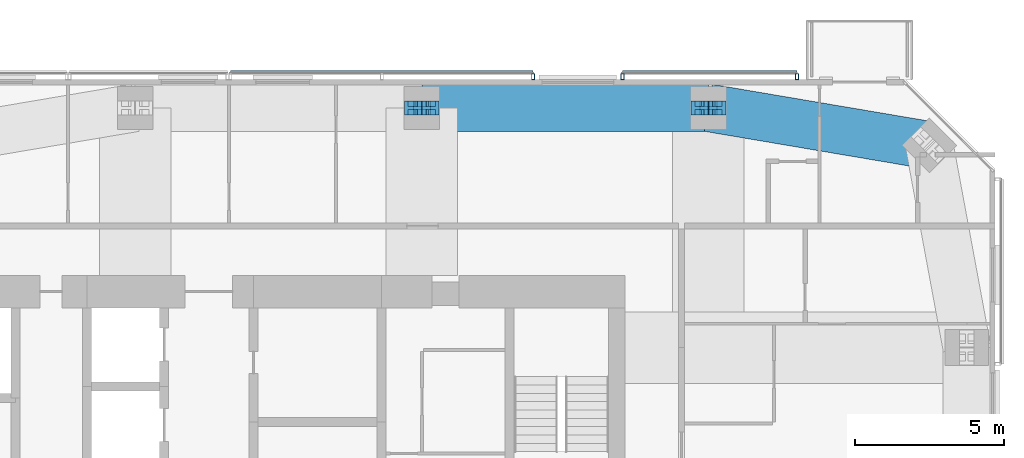
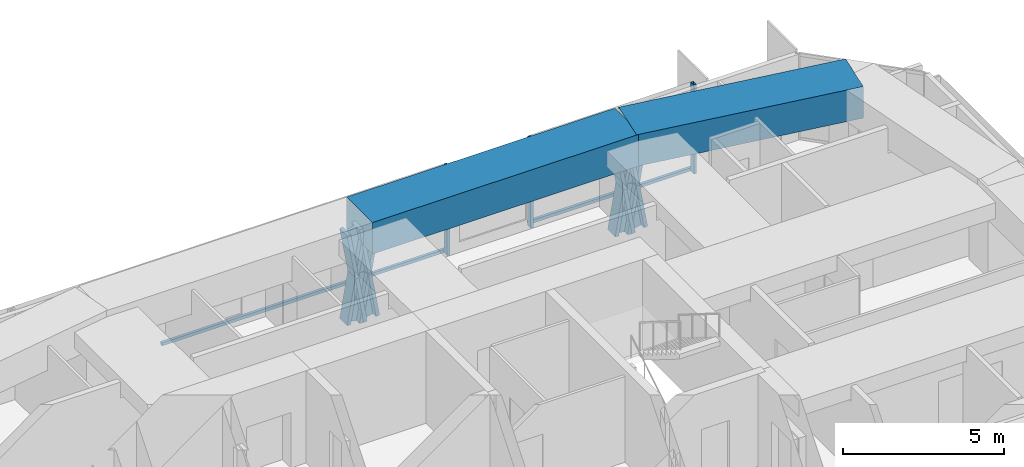
# One storey, part 11 of 20: 13 members, 2 beams, 2 elements without a shape of their own.
"""IFC4 building model written with IfcOpenShell, lengths in metres."""

import ifcopenshell
import ifcopenshell.guid

model = None  # the IFC model being written
_history = None  # IfcOwnerHistory: only IFC2X3 demands one
_inside = {}  # id of a spatial element -> (the spatial element, [elements in it])
_under = {}  # id of a project, library or spatial element -> (it, [spatial elements below it])
_declared = {}  # id of a project -> (the project, [libraries it declares])
_typed = {}  # id of a type object -> (the type object, [elements of that type])
_made_of = {}  # id of a material, layer set ... -> (it, [elements and type objects made of it])


def new_model(schema):
    """Start an empty IFC model of exactly this schema.

    Asked for "IFC4X3", IfcOpenShell would pick the latest addendum, in which some entities
    have other attributes; the version numbers below select the first issue.
    IFC2X3 requires an IfcOwnerHistory on every rooted entity: one is made here for all.
    """
    global model, _history
    if schema == "IFC4X3":
        model = ifcopenshell.file(schema_version=(4, 3, 0, 0))
    else:
        model = ifcopenshell.file(schema=schema)
    _inside.clear()
    _under.clear()
    _declared.clear()
    _typed.clear()
    _made_of.clear()
    _history = None
    if model.schema == "IFC2X3":
        org = make("IfcOrganization", Name="unknown")
        user = make(
            "IfcPersonAndOrganization",
            ThePerson=make("IfcPerson", FamilyName="unknown"),
            TheOrganization=org,
        )
        app = make(
            "IfcApplication",
            ApplicationDeveloper=org,
            Version="unknown",
            ApplicationFullName="unknown",
            ApplicationIdentifier="unknown",
        )
        _history = make(
            "IfcOwnerHistory",
            OwningUser=user,
            OwningApplication=app,
            ChangeAction="ADDED",
            CreationDate=0,
        )
    return model


def make(cls, **values):
    """One entity of the class cls with the attributes given. An attribute that is None is left unset."""
    return model.create_entity(
        cls, **{name: value for name, value in values.items() if value is not None}
    )


def rooted(cls, **values):
    """An entity with a GlobalId (a new one), such as an element, a storey or a relation."""
    return make(cls, GlobalId=ifcopenshell.guid.new(), OwnerHistory=_history, **values)


def si_unit(unit_type, name, prefix=None):
    """IfcSIUnit, for example si_unit("LENGTHUNIT", "METRE", prefix="MILLI")."""
    return make("IfcSIUnit", UnitType=unit_type, Prefix=prefix, Name=name)


def assignment(units):
    """IfcUnitAssignment: the units of a project."""
    return None if units is None else make("IfcUnitAssignment", Units=units)


def point(xyz):
    """IfcCartesianPoint."""
    return None if xyz is None else make("IfcCartesianPoint", Coordinates=xyz)


def direction(xyz):
    """IfcDirection."""
    return None if xyz is None else make("IfcDirection", DirectionRatios=xyz)


def frame(location, z_axis=None, x_axis=None):
    """IfcAxis2Placement3D, a coordinate frame: its origin and axes. An axis left out is left unset."""
    return make(
        "IfcAxis2Placement3D",
        Location=point(location),
        Axis=direction(z_axis),
        RefDirection=direction(x_axis),
    )


def frame_2d(location, x_axis=None):
    """IfcAxis2Placement2D, a coordinate frame in the plane: its origin and x axis."""
    return make(
        "IfcAxis2Placement2D", Location=point(location), RefDirection=direction(x_axis)
    )


def origin():
    """The frame at (0, 0, 0) with its axes left unset."""
    return frame((0.0, 0.0, 0.0))


def origin_2d():
    """The frame at (0, 0) in the plane with its x axis left unset."""
    return frame_2d((0.0, 0.0))


def place(relative_to, where):
    """IfcLocalPlacement: puts the frame where relative to a parent placement (None: the world)."""
    return make(
        "IfcLocalPlacement", PlacementRelTo=relative_to, RelativePlacement=where
    )


def context(
    kind, dimensions, precision=None, world=None, true_north=None, identifier=None
):
    """IfcGeometricRepresentationContext, for example the 3D "Model" context."""
    return make(
        "IfcGeometricRepresentationContext",
        ContextIdentifier=identifier,
        ContextType=kind,
        CoordinateSpaceDimension=dimensions,
        Precision=precision,
        WorldCoordinateSystem=world,
        TrueNorth=true_north,
    )


def subcontext(parent, identifier, kind, view, scale=None):
    """IfcGeometricRepresentationSubContext, for example "Body" below "Model"."""
    return make(
        "IfcGeometricRepresentationSubContext",
        ContextIdentifier=identifier,
        ContextType=kind,
        ParentContext=parent,
        TargetScale=scale,
        TargetView=view,
    )


def project(units=None, contexts=None):
    """IfcProject with its units and contexts."""
    return rooted(
        "IfcProject",
        Name="project",
        RepresentationContexts=contexts,
        UnitsInContext=assignment(units),
    )


def spatial(cls, under=None, at=None, **own):
    """A site, building, storey or space (cls), placed at a placement, below another one or the project."""
    s = rooted(cls, ObjectPlacement=at, **own)
    if under is not None:
        _under.setdefault(under.id(), (under, []))[1].append(s)
    return s


def profile(cls, at=None, kind="AREA", **sizes):
    """A parametric profile (cls). Its sizes go by their IFC names, for example OverallWidth=200.0."""
    return make(cls, ProfileType=kind, Position=at, **sizes)


def rectangle(**sizes):
    """IfcRectangleProfileDef."""
    return profile("IfcRectangleProfileDef", **sizes)


def hollow_rectangle(**sizes):
    """IfcRectangleHollowProfileDef."""
    return profile("IfcRectangleHollowProfileDef", **sizes)


def i_section(**sizes):
    """IfcIShapeProfileDef."""
    return profile("IfcIShapeProfileDef", **sizes)


def extrude(swept, where, along, depth):
    """IfcExtrudedAreaSolid: the profile swept, set in the frame where, extruded along a direction by depth."""
    return make(
        "IfcExtrudedAreaSolid",
        SweptArea=swept,
        Position=where,
        ExtrudedDirection=direction(along),
        Depth=depth,
    )


def shape(context_of_items, identifier, shape_type, items):
    """IfcShapeRepresentation: the items that make up one representation, for example the "Body"."""
    return make(
        "IfcShapeRepresentation",
        ContextOfItems=context_of_items,
        RepresentationIdentifier=identifier,
        RepresentationType=shape_type,
        Items=items,
    )


def material(Name=None, Category=None):
    """IfcMaterial."""
    return make("IfcMaterial", Name=Name, Category=Category)


def material_profile(
    of_material, cross_section, Name=None, Category=None, Priority=None
):
    """IfcMaterialProfile: a cross section and its material."""
    return make(
        "IfcMaterialProfile",
        Name=Name,
        Material=of_material,
        Profile=cross_section,
        Priority=Priority,
        Category=Category,
    )


def profile_set(profiles, Name=None, composite=None):
    """IfcMaterialProfileSet."""
    return make(
        "IfcMaterialProfileSet",
        Name=Name,
        MaterialProfiles=profiles,
        CompositeProfile=composite,
    )


def made_of(thing, what):
    """Note that an element or type object is made of a material, layer set ...; save() writes the relation."""
    if what is not None:
        _made_of.setdefault(what.id(), (what, []))[1].append(thing)
    return thing


def type_object(cls, material=None, **own):
    """A type object (cls), such as IfcWallType, which elements share."""
    return made_of(rooted(cls, **own), material)


def element(
    cls,
    number,
    at=None,
    inside=None,
    cuts=None,
    type_object=None,
    material=None,
    context=None,
    identifier="Body",
    shape_type=None,
    held_by="IfcProductDefinitionShape",
    body=None,
    shapes=None,
    **own,
):
    """One element of the class cls, such as IfcWall. Its Tag is "e" and its number.

    at: its placement. inside: the storey or other place that contains it. cuts: it is an
    opening in that element (IfcRelVoidsElement). A single representation is given by context,
    identifier, shape_type and body (its items); several are given by shapes. held_by: the class
    of the entity that holds the representations. save() writes the other relations.
    """
    e = rooted(cls, Tag="e%d" % number, ObjectPlacement=at, **own)
    if body is not None:
        shapes = [shape(context, identifier, shape_type, body)]
    if shapes is not None:
        e.Representation = make(held_by, Representations=shapes)
    if inside is not None:
        _inside.setdefault(inside.id(), (inside, []))[1].append(e)
    if cuts is not None:
        rooted(
            "IfcRelVoidsElement", RelatingBuildingElement=cuts, RelatedOpeningElement=e
        )
    if type_object is not None:
        _typed.setdefault(type_object.id(), (type_object, []))[1].append(e)
    return made_of(e, material)


def aggregate(whole, parts):
    """IfcRelAggregates: a whole, such as a stair, and the parts it consists of."""
    return rooted("IfcRelAggregates", RelatingObject=whole, RelatedObjects=parts)


def save(model, path):
    """Write the relations noted so far, then the file.

    IfcRelAggregates (storeys below a building ...), IfcRelContainedInSpatialStructure (elements
    in a storey), IfcRelDefinesByType, IfcRelAssociatesMaterial and IfcRelDeclares: one each for
    every whole, place, type object, material and project.
    """
    for whole, parts in _under.values():
        aggregate(whole, parts)
    for where, things in _inside.values():
        rooted(
            "IfcRelContainedInSpatialStructure",
            RelatedElements=things,
            RelatingStructure=where,
        )
    for kind, things in _typed.values():
        rooted("IfcRelDefinesByType", RelatedObjects=things, RelatingType=kind)
    for what, things in _made_of.values():
        rooted("IfcRelAssociatesMaterial", RelatedObjects=things, RelatingMaterial=what)
    for by, libraries in _declared.values():
        rooted("IfcRelDeclares", RelatingContext=by, RelatedDefinitions=libraries)
    model.write(path)


model = new_model("IFC4")

# Units and contexts
model_context = context("Model", 3, precision=1e-05, world=origin(), true_north=direction((0.0, 1.0)))
body_context = subcontext(model_context, "Body", "Model", "MODEL_VIEW")
ifc_project = project(units=[si_unit("LENGTHUNIT", "METRE"), si_unit("AREAUNIT", "SQUARE_METRE"), si_unit("VOLUMEUNIT", "CUBIC_METRE"), si_unit("PLANEANGLEUNIT", "RADIAN"), si_unit("MASSUNIT", "GRAM", prefix="KILO")], contexts=[model_context])

# Site, building, storey
site_placement = place(None, origin())
site = spatial("IfcSite", under=ifc_project, at=site_placement, CompositionType="ELEMENT")
building_placement = place(site_placement, origin())
building = spatial("IfcBuilding", under=site, at=building_placement, Name="Jalousie Tower", CompositionType="ELEMENT")
storey_placement = place(building_placement, frame((0.0, 0.0, 242.449951171875)))
storey = spatial("IfcBuildingStorey", under=building, at=storey_placement, Name="L66", CompositionType="ELEMENT", Elevation=242.449951171875)

# Members
ifc_material_1 = material(Name="Steel ASTM A992 Grade 50", Category="steel")
ifc_material_profile_1 = material_profile(ifc_material_1, i_section(OverallWidth=0.472412109375, OverallDepth=0.5791015625, WebThickness=0.094970703125, FlangeThickness=0.1298828125, at=origin_2d()), Name="W14X808")
ifc_profile_set_1 = profile_set([ifc_material_profile_1], Name="Steel ASTM A992 Grade 50")
member_type_1 = type_object("IfcMemberType", Name="PERIMETER BRACE W14X808", PredefinedType="BRACE", material=ifc_profile_set_1)
for number, where, z_axis, x_axis, name in (
    (1, (46.574951171875, 33.050048828125, -0.599853515625), (0.168990530437, 0.0, 0.98561767467), (0.0, 1.0, 0.0), "Perimeter brace 09 L66 part 1"),
    (2, (46.875, 33.050048828125, 1.150146484375), (0.168990530437, 0.0, 0.98561767467), (0.0, 1.0, 0.0), "Perimeter brace 09 L66 part 2"),
    (3, (47.175048828125, 33.050048828125, -0.599853515625), (-0.168990530437, 0.0, 0.98561767467), (0.0, -1.0, 0.0), "Perimeter brace 09 L66 part 3"),
    (4, (46.875, 33.050048828125, 1.150146484375), (-0.168990530437, 0.0, 0.98561767467), (0.0, -1.0, 0.0), "Perimeter brace 09 L66 part 4"),
    (5, (36.949951171875, 33.050048828125, -0.599853515625), (0.168990530437, 0.0, 0.98561767467), (0.0, 1.0, 0.0), "Perimeter brace 10 L66 part 1"),
    (6, (37.25, 33.050048828125, 1.150146484375), (0.168990530437, 0.0, 0.98561767467), (0.0, 1.0, 0.0), "Perimeter brace 10 L66 part 2"),
    (7, (37.550048828125, 33.050048828125, -0.599853515625), (-0.168990530437, 0.0, 0.98561767467), (0.0, -1.0, 0.0), "Perimeter brace 10 L66 part 3"),
    (8, (37.25, 33.050048828125, 1.150146484375), (-0.168990530437, 0.0, 0.98561767467), (0.0, -1.0, 0.0), "Perimeter brace 10 L66 part 4"),
):
    element("IfcMember", number, at=place(storey_placement, frame(where, z_axis=z_axis, x_axis=x_axis)), inside=storey, type_object=member_type_1, Name=name, PredefinedType="BRACE", context=body_context, shape_type="SweptSolid", body=[
        extrude(i_section(OverallWidth=0.472412109375, OverallDepth=0.5791015625, WebThickness=0.094970703125, FlangeThickness=0.1298828125, at=origin_2d()), origin(), (0.0, 0.0, 1.0), 1.775634765625),
    ])

# Beams
ifc_material_2 = material(Name="Concrete f'c 40 MPa", Category="concrete")
ifc_material_profile_2 = material_profile(ifc_material_2, rectangle(XDim=1.60009765625, YDim=1.199951171875, at=origin_2d()), Name="RC 1600x1200")
ifc_profile_set_2 = profile_set([ifc_material_profile_2], Name="Concrete f'c 40 MPa")
beam_type = type_object("IfcBeamType", Name="RC BEAM 1600x1200", PredefinedType="BEAM", material=ifc_profile_set_2)
beam_1_placement = place(storey_placement, frame((54.29296875, 31.79296875, 2.900146484375), z_axis=(-0.985942997446, 0.167082033105, 0.0), x_axis=(-0.167082033105, -0.985942997446, 0.0)))
element("IfcBeam", 9, at=beam_1_placement, inside=storey, type_object=beam_type, Name="Edge band beam 08-09 under L67", PredefinedType="BEAM", context=body_context, shape_type="SweptSolid", body=[
    extrude(rectangle(XDim=1.60009765625, YDim=1.199951171875, at=origin_2d()), origin(), (0.0, 0.0, 1.0), 7.523681640625),
])
beam_2_placement = place(storey_placement, frame((46.875, 33.050048828125, 2.900146484375), z_axis=(-1.0, 0.0, 0.0), x_axis=(0.0, -1.0, 0.0)))
element("IfcBeam", 10, at=beam_2_placement, inside=storey, type_object=beam_type, Name="Edge band beam 09-10 under L67", PredefinedType="BEAM", context=body_context, shape_type="SweptSolid", body=[
    extrude(rectangle(XDim=1.60009765625, YDim=1.199951171875, at=origin_2d()), origin(), (0.0, 0.0, 1.0), 9.625),
])

# Curtain wall, members
ifc_material_3 = material(Name="Perforated aluminium sheet", Category="aluminium")
curtain_wall_type = type_object("IfcCurtainWallType", Name="SOLAR SCREEN SS-2", PredefinedType="USERDEFINED", material=ifc_material_3)
curtain_wall_1_placement = place(storey_placement, origin())
curtain_wall_1 = element("IfcCurtainWall", 11, at=curtain_wall_1_placement, inside=storey, type_object=curtain_wall_type, Name="Solar screen L66", ObjectType="SOLAR SCREEN SS-2", PredefinedType="USERDEFINED")
ifc_material_4 = material(Name="Steel ASTM A500 Grade C", Category="steel")
ifc_material_profile_3 = material_profile(ifc_material_4, hollow_rectangle(XDim=0.1015625, YDim=0.203125, WallThickness=0.0078125, at=origin_2d()), Name="HSS8X4X5/16")
ifc_profile_set_3 = profile_set([ifc_material_profile_3], Name="Steel ASTM A500 Grade C")
member_type_2 = type_object("IfcMemberType", Name="SOLAR SCREEN SS-2 MULLION", PredefinedType="MULLION", material=ifc_profile_set_3)
member_1_placement = place(storey_placement, frame((49.8486328125, 34.0966796875, -0.119873046875), z_axis=(0.0, 0.0, 1.0), x_axis=(-1.0, 0.0, 0.0)))
member_1 = element("IfcMember", 12, at=member_1_placement, type_object=member_type_2, Name="SS2 post 1", PredefinedType="MULLION", context=body_context, shape_type="SweptSolid", body=[
    extrude(hollow_rectangle(XDim=0.1015625, YDim=0.203125, WallThickness=0.0078125, at=origin_2d()), origin(), (0.0, 0.0, 1.0), 3.3798828125),
])
member_2_placement = place(storey_placement, frame((43.98876953125, 34.0966796875, -0.119873046875), z_axis=(0.0, 0.0, 1.0), x_axis=(-1.0, 0.0, 0.0)))
member_2 = element("IfcMember", 13, at=member_2_placement, type_object=member_type_2, Name="SS2 post 2", PredefinedType="MULLION", context=body_context, shape_type="SweptSolid", body=[
    extrude(hollow_rectangle(XDim=0.1015625, YDim=0.203125, WallThickness=0.0078125, at=origin_2d()), origin(), (0.0, 0.0, 1.0), 3.3798828125),
])

# Curtain wall, member
curtain_wall_2_placement = place(storey_placement, origin())
curtain_wall_2 = element("IfcCurtainWall", 14, at=curtain_wall_2_placement, inside=storey, type_object=curtain_wall_type, Name="Solar screen L66", ObjectType="SOLAR SCREEN SS-2", PredefinedType="USERDEFINED")
member_3_placement = place(storey_placement, frame((40.98876953125, 34.0966796875, -0.119873046875), z_axis=(0.0, 0.0, 1.0), x_axis=(-1.0, 0.0, 0.0)))
member_3 = element("IfcMember", 15, at=member_3_placement, type_object=member_type_2, Name="SS2 post 1", PredefinedType="MULLION", context=body_context, shape_type="SweptSolid", body=[
    extrude(hollow_rectangle(XDim=0.1015625, YDim=0.203125, WallThickness=0.0078125, at=origin_2d()), origin(), (0.0, 0.0, 1.0), 3.3798828125),
])

# Member
ifc_material_5 = material(Name="Extruded aluminium screen rail", Category="aluminium")
ifc_material_profile_4 = material_profile(ifc_material_5, rectangle(XDim=0.1015625, YDim=0.1201171875, at=origin_2d()), Name="RAIL 102x120")
ifc_profile_set_4 = profile_set([ifc_material_profile_4], Name="Extruded aluminium screen rail")
member_type_3 = type_object("IfcMemberType", Name="SOLAR SCREEN SS-2 TRANSOM", PredefinedType="USERDEFINED", material=ifc_profile_set_4)
member_4_placement = place(storey_placement, frame((49.8486328125, 34.2490234375, -0.06005859375), z_axis=(-1.0, 0.0, 0.0), x_axis=(0.0, -1.0, 0.0)))
member_4 = element("IfcMember", 16, at=member_4_placement, type_object=member_type_3, Name="SS2 rail", ObjectType="TRANSOM", PredefinedType="USERDEFINED", context=body_context, shape_type="SweptSolid", body=[
    extrude(rectangle(XDim=0.1015625, YDim=0.1201171875, at=origin_2d()), origin(), (0.0, 0.0, 1.0), 5.85986328125),
])

aggregate(curtain_wall_1, [member_1, member_2, member_4])

member_5_placement = place(storey_placement, frame((40.98876953125, 34.2490234375, -0.06005859375), z_axis=(-1.0, 0.0, 0.0), x_axis=(0.0, -1.0, 0.0)))
member_5 = element("IfcMember", 17, at=member_5_placement, type_object=member_type_3, Name="SS2 rail", ObjectType="TRANSOM", PredefinedType="USERDEFINED", context=body_context, shape_type="SweptSolid", body=[
    extrude(rectangle(XDim=0.1015625, YDim=0.1201171875, at=origin_2d()), origin(), (0.0, 0.0, 1.0), 10.163818359375),
])

aggregate(curtain_wall_2, [member_3, member_5])

save(model, "model.ifc")
